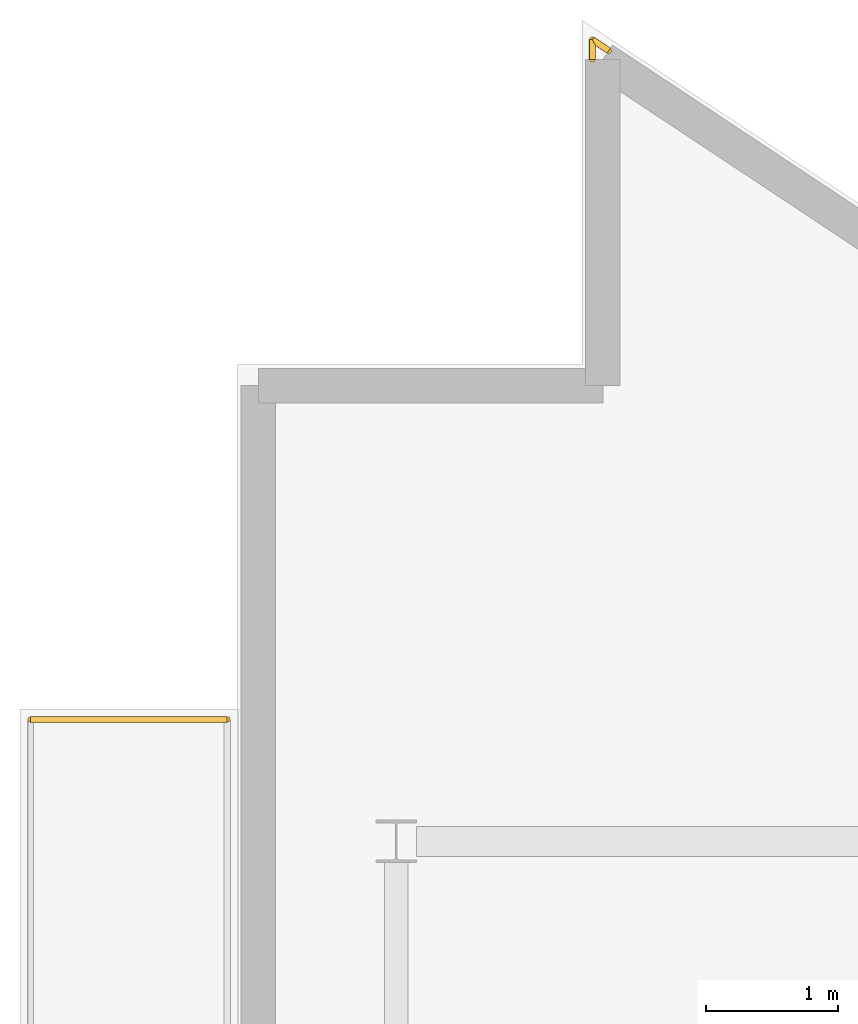
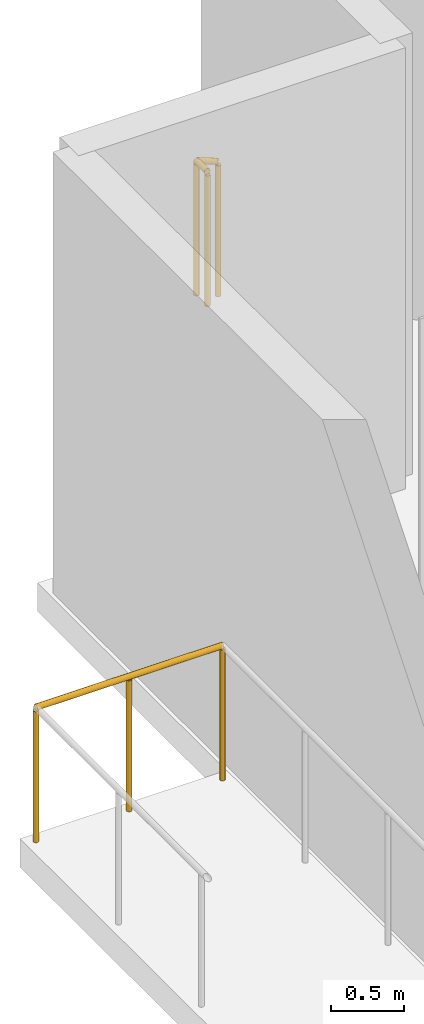
# One storey, part 16 of 17: 3 railings.
"""IFC4 building model written with IfcOpenShell, lengths in metres."""

from ifc_helpers import new_model, si_unit, direction, frame, origin, origin_2d, place, context, subcontext, project, spatial, circle, extrude, material, type_object, element, save


model = new_model("IFC4")

# Units and contexts
model_context = context("Model", 3, precision=1e-05, world=origin(), true_north=direction((0.0, 1.0)))
body_context = subcontext(model_context, "Body", "Model", "MODEL_VIEW")
ifc_project = project(units=[si_unit("LENGTHUNIT", "METRE"), si_unit("AREAUNIT", "SQUARE_METRE"), si_unit("VOLUMEUNIT", "CUBIC_METRE"), si_unit("PLANEANGLEUNIT", "RADIAN"), si_unit("MASSUNIT", "GRAM", prefix="KILO")], contexts=[model_context])

# Site, building, storey
site_placement = place(None, origin())
site = spatial("IfcSite", under=ifc_project, at=site_placement, CompositionType="ELEMENT")
building_placement = place(site_placement, origin())
building = spatial("IfcBuilding", under=site, at=building_placement, Name="Varnakote Quay Hospital", CompositionType="ELEMENT")
storey_placement = place(building_placement, frame((0.0, 0.0, 103.35009765625)))
storey = spatial("IfcBuildingStorey", under=building, at=storey_placement, Name="L25", CompositionType="ELEMENT", Elevation=103.35009765625)

# Railings
ifc_material = material(Name="Anodised aluminium 6063-T6 Bronze", Category="aluminium")
railing_type = type_object("IfcRailingType", Name="RLG-EXT-GUARD-1150", PredefinedType="GUARDRAIL", material=ifc_material)
railing_1_placement = place(storey_placement, frame((-1.56005859375, 38.1201171875, 0.0)))
element("IfcRailing", 1, at=railing_1_placement, inside=storey, type_object=railing_type, Name="L25 Zigzag Prow Healing Terrace Safety Guard", PredefinedType="GUARDRAIL", context=body_context, shape_type="SweptSolid", body=[
    extrude(circle(Radius=0.02392578125, at=origin_2d()), frame((0.0, 0.0, 1.1259765625), z_axis=(1.0, 0.0, 0.0), x_axis=(0.0, 1.0, 0.0)), (0.0, 0.0, 1.0), 1.484130859375),
    extrude(circle(Radius=0.02099609375, at=origin_2d()), origin(), (0.0, 0.0, 1.0), 1.101806640625),
    extrude(circle(Radius=0.02099609375, at=origin_2d()), frame((0.7421875, 0.0, 0.0)), (0.0, 0.0, 1.0), 1.101806640625),
    extrude(circle(Radius=0.02099609375, at=origin_2d()), frame((1.484130859375, 0.0, 0.0)), (0.0, 0.0, 1.0), 1.101806640625),
])
railing_2_placement = place(storey_placement, frame((2.679931640625, 43.10205078125, 0.0)))
element("IfcRailing", 2, at=railing_2_placement, inside=storey, type_object=railing_type, Name="L25 Slab Edge Perimeter Safety Guard", PredefinedType="GUARDRAIL", context=body_context, shape_type="SweptSolid", body=[
    extrude(circle(Radius=0.02392578125, at=origin_2d()), frame((0.0, 0.0, 1.1259765625), z_axis=(0.0, 1.0, 0.0), x_axis=(-1.0, 0.0, 0.0)), (0.0, 0.0, 1.0), 0.14892578125),
    extrude(circle(Radius=0.02099609375, at=origin_2d()), origin(), (0.0, 0.0, 1.0), 1.101806640625),
    extrude(circle(Radius=0.02099609375, at=origin_2d()), frame((0.0, 0.14892578125, 0.0)), (0.0, 0.0, 1.0), 1.101806640625),
])
railing_3_placement = place(storey_placement, frame((2.679931640625, 43.2509765625, 0.0)))
element("IfcRailing", 3, at=railing_3_placement, inside=storey, type_object=railing_type, Name="L25 Slab Edge Perimeter Safety Guard", PredefinedType="GUARDRAIL", context=body_context, shape_type="SweptSolid", body=[
    extrude(circle(Radius=0.02392578125, at=origin_2d()), frame((0.0, 0.0, 1.1259765625), z_axis=(0.833810230731, -0.552051174374, 0.0), x_axis=(0.552051174374, 0.833810230731, 0.0)), (0.0, 0.0, 1.0), 0.14892578125),
    extrude(circle(Radius=0.02099609375, at=origin_2d()), origin(), (0.0, 0.0, 1.0), 1.101806640625),
    extrude(circle(Radius=0.02099609375, at=origin_2d()), frame((0.124267578125, -0.082275390625, 0.0)), (0.0, 0.0, 1.0), 1.101806640625),
])

save(model, "model.ifc")
